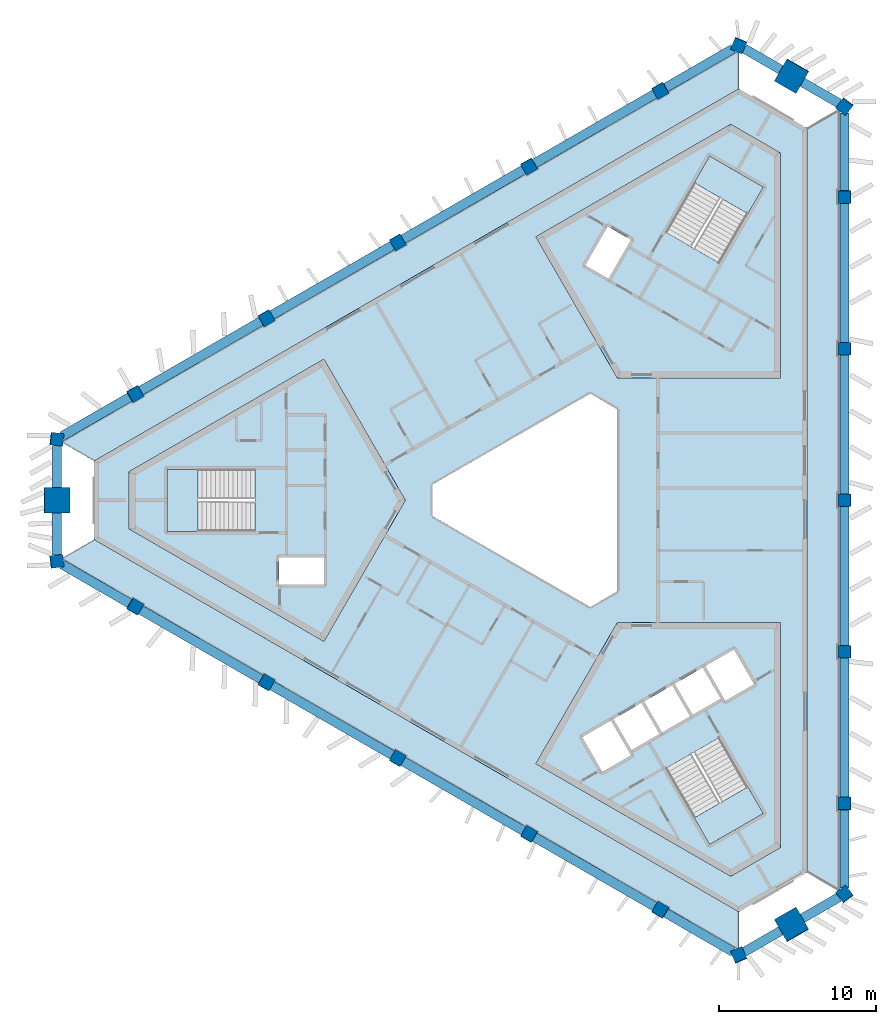
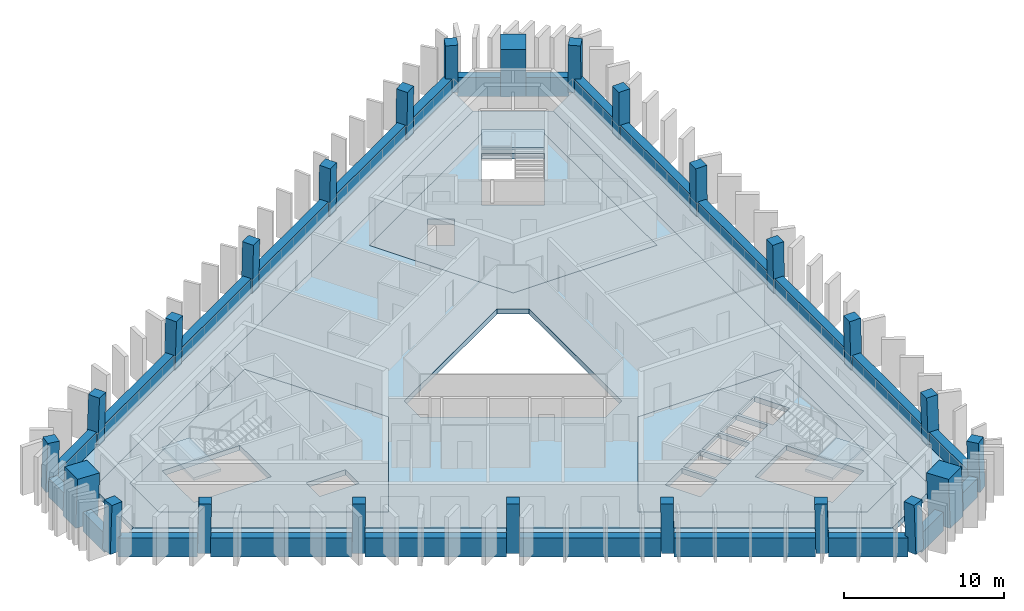
# One storey, part 1 of 9: 24 beams, 24 columns, 10 slabs, 3 elements without a shape of their own.
"""IFC4 building model written with IfcOpenShell, lengths in metres."""

import ifcopenshell
import ifcopenshell.guid

model = None  # the IFC model being written
_history = None  # IfcOwnerHistory: only IFC2X3 demands one
_inside = {}  # id of a spatial element -> (the spatial element, [elements in it])
_under = {}  # id of a project, library or spatial element -> (it, [spatial elements below it])
_declared = {}  # id of a project -> (the project, [libraries it declares])
_typed = {}  # id of a type object -> (the type object, [elements of that type])
_made_of = {}  # id of a material, layer set ... -> (it, [elements and type objects made of it])


def new_model(schema):
    """Start an empty IFC model of exactly this schema.

    Asked for "IFC4X3", IfcOpenShell would pick the latest addendum, in which some entities
    have other attributes; the version numbers below select the first issue.
    IFC2X3 requires an IfcOwnerHistory on every rooted entity: one is made here for all.
    """
    global model, _history
    if schema == "IFC4X3":
        model = ifcopenshell.file(schema_version=(4, 3, 0, 0))
    else:
        model = ifcopenshell.file(schema=schema)
    _inside.clear()
    _under.clear()
    _declared.clear()
    _typed.clear()
    _made_of.clear()
    _history = None
    if model.schema == "IFC2X3":
        org = make("IfcOrganization", Name="unknown")
        user = make(
            "IfcPersonAndOrganization",
            ThePerson=make("IfcPerson", FamilyName="unknown"),
            TheOrganization=org,
        )
        app = make(
            "IfcApplication",
            ApplicationDeveloper=org,
            Version="unknown",
            ApplicationFullName="unknown",
            ApplicationIdentifier="unknown",
        )
        _history = make(
            "IfcOwnerHistory",
            OwningUser=user,
            OwningApplication=app,
            ChangeAction="ADDED",
            CreationDate=0,
        )
    return model


def make(cls, **values):
    """One entity of the class cls with the attributes given. An attribute that is None is left unset."""
    return model.create_entity(
        cls, **{name: value for name, value in values.items() if value is not None}
    )


def rooted(cls, **values):
    """An entity with a GlobalId (a new one), such as an element, a storey or a relation."""
    return make(cls, GlobalId=ifcopenshell.guid.new(), OwnerHistory=_history, **values)


def si_unit(unit_type, name, prefix=None):
    """IfcSIUnit, for example si_unit("LENGTHUNIT", "METRE", prefix="MILLI")."""
    return make("IfcSIUnit", UnitType=unit_type, Prefix=prefix, Name=name)


def assignment(units):
    """IfcUnitAssignment: the units of a project."""
    return None if units is None else make("IfcUnitAssignment", Units=units)


def point(xyz):
    """IfcCartesianPoint."""
    return None if xyz is None else make("IfcCartesianPoint", Coordinates=xyz)


def direction(xyz):
    """IfcDirection."""
    return None if xyz is None else make("IfcDirection", DirectionRatios=xyz)


def frame(location, z_axis=None, x_axis=None):
    """IfcAxis2Placement3D, a coordinate frame: its origin and axes. An axis left out is left unset."""
    return make(
        "IfcAxis2Placement3D",
        Location=point(location),
        Axis=direction(z_axis),
        RefDirection=direction(x_axis),
    )


def frame_2d(location, x_axis=None):
    """IfcAxis2Placement2D, a coordinate frame in the plane: its origin and x axis."""
    return make(
        "IfcAxis2Placement2D", Location=point(location), RefDirection=direction(x_axis)
    )


def origin():
    """The frame at (0, 0, 0) with its axes left unset."""
    return frame((0.0, 0.0, 0.0))


def origin_2d():
    """The frame at (0, 0) in the plane with its x axis left unset."""
    return frame_2d((0.0, 0.0))


def place(relative_to, where):
    """IfcLocalPlacement: puts the frame where relative to a parent placement (None: the world)."""
    return make(
        "IfcLocalPlacement", PlacementRelTo=relative_to, RelativePlacement=where
    )


def context(
    kind, dimensions, precision=None, world=None, true_north=None, identifier=None
):
    """IfcGeometricRepresentationContext, for example the 3D "Model" context."""
    return make(
        "IfcGeometricRepresentationContext",
        ContextIdentifier=identifier,
        ContextType=kind,
        CoordinateSpaceDimension=dimensions,
        Precision=precision,
        WorldCoordinateSystem=world,
        TrueNorth=true_north,
    )


def subcontext(parent, identifier, kind, view, scale=None):
    """IfcGeometricRepresentationSubContext, for example "Body" below "Model"."""
    return make(
        "IfcGeometricRepresentationSubContext",
        ContextIdentifier=identifier,
        ContextType=kind,
        ParentContext=parent,
        TargetScale=scale,
        TargetView=view,
    )


def project(units=None, contexts=None):
    """IfcProject with its units and contexts."""
    return rooted(
        "IfcProject",
        Name="project",
        RepresentationContexts=contexts,
        UnitsInContext=assignment(units),
    )


def spatial(cls, under=None, at=None, **own):
    """A site, building, storey or space (cls), placed at a placement, below another one or the project."""
    s = rooted(cls, ObjectPlacement=at, **own)
    if under is not None:
        _under.setdefault(under.id(), (under, []))[1].append(s)
    return s


def polyline(points):
    """IfcPolyline through the points."""
    return make("IfcPolyline", Points=[point(p) for p in points])


def profile(cls, at=None, kind="AREA", **sizes):
    """A parametric profile (cls). Its sizes go by their IFC names, for example OverallWidth=200.0."""
    return make(cls, ProfileType=kind, Position=at, **sizes)


def rectangle(**sizes):
    """IfcRectangleProfileDef."""
    return profile("IfcRectangleProfileDef", **sizes)


def outline(outer, holes=None, kind="AREA"):
    """IfcArbitraryClosedProfileDef: a profile drawn as a closed curve; with holes, ...WithVoids."""
    if holes is None:
        return make("IfcArbitraryClosedProfileDef", ProfileType=kind, OuterCurve=outer)
    return make(
        "IfcArbitraryProfileDefWithVoids",
        ProfileType=kind,
        OuterCurve=outer,
        InnerCurves=holes,
    )


def extrude(swept, where, along, depth):
    """IfcExtrudedAreaSolid: the profile swept, set in the frame where, extruded along a direction by depth."""
    return make(
        "IfcExtrudedAreaSolid",
        SweptArea=swept,
        Position=where,
        ExtrudedDirection=direction(along),
        Depth=depth,
    )


def shape(context_of_items, identifier, shape_type, items):
    """IfcShapeRepresentation: the items that make up one representation, for example the "Body"."""
    return make(
        "IfcShapeRepresentation",
        ContextOfItems=context_of_items,
        RepresentationIdentifier=identifier,
        RepresentationType=shape_type,
        Items=items,
    )


def material(Name=None, Category=None):
    """IfcMaterial."""
    return make("IfcMaterial", Name=Name, Category=Category)


def layer(
    of_material, thickness, ventilated=None, Name=None, Category=None, Priority=None
):
    """IfcMaterialLayer: one layer of a wall or slab, of a material (None: an air gap)."""
    return make(
        "IfcMaterialLayer",
        Material=of_material,
        LayerThickness=thickness,
        IsVentilated=ventilated,
        Name=Name,
        Category=Category,
        Priority=Priority,
    )


def layer_set(layers, Name=None):
    """IfcMaterialLayerSet."""
    return make("IfcMaterialLayerSet", MaterialLayers=layers, LayerSetName=Name)


def material_profile(
    of_material, cross_section, Name=None, Category=None, Priority=None
):
    """IfcMaterialProfile: a cross section and its material."""
    return make(
        "IfcMaterialProfile",
        Name=Name,
        Material=of_material,
        Profile=cross_section,
        Priority=Priority,
        Category=Category,
    )


def profile_set(profiles, Name=None, composite=None):
    """IfcMaterialProfileSet."""
    return make(
        "IfcMaterialProfileSet",
        Name=Name,
        MaterialProfiles=profiles,
        CompositeProfile=composite,
    )


def made_of(thing, what):
    """Note that an element or type object is made of a material, layer set ...; save() writes the relation."""
    if what is not None:
        _made_of.setdefault(what.id(), (what, []))[1].append(thing)
    return thing


def type_object(cls, material=None, **own):
    """A type object (cls), such as IfcWallType, which elements share."""
    return made_of(rooted(cls, **own), material)


def element(
    cls,
    number,
    at=None,
    inside=None,
    cuts=None,
    type_object=None,
    material=None,
    context=None,
    identifier="Body",
    shape_type=None,
    held_by="IfcProductDefinitionShape",
    body=None,
    shapes=None,
    **own,
):
    """One element of the class cls, such as IfcWall. Its Tag is "e" and its number.

    at: its placement. inside: the storey or other place that contains it. cuts: it is an
    opening in that element (IfcRelVoidsElement). A single representation is given by context,
    identifier, shape_type and body (its items); several are given by shapes. held_by: the class
    of the entity that holds the representations. save() writes the other relations.
    """
    e = rooted(cls, Tag="e%d" % number, ObjectPlacement=at, **own)
    if body is not None:
        shapes = [shape(context, identifier, shape_type, body)]
    if shapes is not None:
        e.Representation = make(held_by, Representations=shapes)
    if inside is not None:
        _inside.setdefault(inside.id(), (inside, []))[1].append(e)
    if cuts is not None:
        rooted(
            "IfcRelVoidsElement", RelatingBuildingElement=cuts, RelatedOpeningElement=e
        )
    if type_object is not None:
        _typed.setdefault(type_object.id(), (type_object, []))[1].append(e)
    return made_of(e, material)


def aggregate(whole, parts):
    """IfcRelAggregates: a whole, such as a stair, and the parts it consists of."""
    return rooted("IfcRelAggregates", RelatingObject=whole, RelatedObjects=parts)


def save(model, path):
    """Write the relations noted so far, then the file.

    IfcRelAggregates (storeys below a building ...), IfcRelContainedInSpatialStructure (elements
    in a storey), IfcRelDefinesByType, IfcRelAssociatesMaterial and IfcRelDeclares: one each for
    every whole, place, type object, material and project.
    """
    for whole, parts in _under.values():
        aggregate(whole, parts)
    for where, things in _inside.values():
        rooted(
            "IfcRelContainedInSpatialStructure",
            RelatedElements=things,
            RelatingStructure=where,
        )
    for kind, things in _typed.values():
        rooted("IfcRelDefinesByType", RelatedObjects=things, RelatingType=kind)
    for what, things in _made_of.values():
        rooted("IfcRelAssociatesMaterial", RelatedObjects=things, RelatingMaterial=what)
    for by, libraries in _declared.values():
        rooted("IfcRelDeclares", RelatingContext=by, RelatedDefinitions=libraries)
    model.write(path)


model = new_model("IFC4")

# Units and contexts
model_context = context("Model", 3, precision=1e-05, world=origin(), true_north=direction((0.0, 1.0)))
body_context = subcontext(model_context, "Body", "Model", "MODEL_VIEW")
ifc_project = project(units=[si_unit("LENGTHUNIT", "METRE"), si_unit("AREAUNIT", "SQUARE_METRE"), si_unit("VOLUMEUNIT", "CUBIC_METRE"), si_unit("PLANEANGLEUNIT", "RADIAN"), si_unit("MASSUNIT", "GRAM", prefix="KILO")], contexts=[model_context])

# Site, building, storey
site_placement = place(None, origin())
site = spatial("IfcSite", under=ifc_project, at=site_placement, CompositionType="ELEMENT")
building_placement = place(site_placement, origin())
building = spatial("IfcBuilding", under=site, at=building_placement, Name="Jabali Bay Hotel Tower and Convention Centre", CompositionType="ELEMENT")
storey_placement = place(building_placement, frame((0.0, 0.0, 281.199951171875)))
storey = spatial("IfcBuildingStorey", under=building, at=storey_placement, Name="L69", CompositionType="ELEMENT", Elevation=281.199951171875)

# Columns
ifc_material_1 = material(Name="Concrete C60", Category="concrete")
ifc_material_profile_1 = material_profile(ifc_material_1, rectangle(XDim=0.800048828125, YDim=0.800048828125, at=origin_2d()), Name="Frame column 800")
ifc_profile_set_1 = profile_set([ifc_material_profile_1], Name="Concrete C60")
column_type_1 = type_object("IfcColumnType", Name="Frame column 800", PredefinedType="COLUMN", material=ifc_profile_set_1)
column_1_placement = place(storey_placement, frame((82.244140625, 106.096923828125, 0.0), z_axis=(-0.00837646992, -0.028097450282, 0.999570091609), x_axis=(0.86617163682, 0.499292783589, 0.021293469065)))
element("IfcColumn", 1, at=column_1_placement, inside=storey, type_object=column_type_1, Name="FC6 F1.1 L69", PredefinedType="COLUMN", context=body_context, shape_type="SweptSolid", body=[
    extrude(rectangle(XDim=0.800048828125, YDim=0.800048828125, at=origin_2d()), origin(), (0.0, 0.0, 1.0), 3.70166015625),
])
column_2_placement = place(storey_placement, frame((73.87744140625, 101.266357421875, 0.0), z_axis=(0.000857580205, -0.022758859284, 0.9997406158), x_axis=(0.866006049772, 0.499920354613, 0.010637706611)))
element("IfcColumn", 2, at=column_2_placement, inside=storey, type_object=column_type_1, Name="FC6 F1.2 L69", PredefinedType="COLUMN", context=body_context, shape_type="SweptSolid", body=[
    extrude(rectangle(XDim=0.800048828125, YDim=0.800048828125, at=origin_2d()), origin(), (0.0, 0.0, 1.0), 3.700927734375),
])
column_3_placement = place(storey_placement, frame((65.5107421875, 96.435791015625, 0.0), z_axis=(0.010093620709, -0.017482414954, 0.999796221231), x_axis=(-0.499897086036, 0.865849517735, 0.020187025824)))
element("IfcColumn", 3, at=column_3_placement, inside=storey, type_object=column_type_1, Name="FC6 F1.3 L69", PredefinedType="COLUMN", context=body_context, shape_type="SweptSolid", body=[
    extrude(rectangle(XDim=0.800048828125, YDim=0.800048828125, at=origin_2d()), origin(), (0.0, 0.0, 1.0), 3.70068359375),
])
column_4_placement = place(storey_placement, frame((57.14404296875, 91.60546875, 0.0), z_axis=(0.019328501455, -0.012204002625, 0.999738701537), x_axis=(-0.498082427135, 0.866894093285, 0.020212046084)))
element("IfcColumn", 4, at=column_4_placement, inside=storey, type_object=column_type_1, Name="FC6 F1.4 L69", PredefinedType="COLUMN", context=body_context, shape_type="SweptSolid", body=[
    extrude(rectangle(XDim=0.800048828125, YDim=0.800048828125, at=origin_2d()), origin(), (0.0, 0.0, 1.0), 3.700927734375),
])
for number, where, z_axis, x_axis, name in (
    (5, (48.77734375, 86.77490234375, 0.0), (0.028559101991, -0.006859460986, 0.999568569678), (-0.49850561578, 0.866651314562, 0.020190344332), "FC6 F1.5 L69"),
    (6, (48.77734375, 73.22509765625, 0.0), (0.028559101991, 0.006859460986, 0.999568569678), (-0.866415909785, 0.498867163445, 0.02133130346), "FC6 F2.1 L69"),
):
    element("IfcColumn", number, at=place(storey_placement, frame(where, z_axis=z_axis, x_axis=x_axis)), inside=storey, type_object=column_type_1, Name=name, PredefinedType="COLUMN", context=body_context, shape_type="SweptSolid", body=[
        extrude(rectangle(XDim=0.800048828125, YDim=0.800048828125, at=origin_2d()), origin(), (0.0, 0.0, 1.0), 3.70166015625),
    ])
column_5_placement = place(storey_placement, frame((57.14404296875, 68.39453125, 0.0), z_axis=(0.019328501455, 0.012204002625, 0.999738701537), x_axis=(-0.866914243054, 0.498342947525, 0.010677164495)))
element("IfcColumn", 7, at=column_5_placement, inside=storey, type_object=column_type_1, Name="FC6 F2.2 L69", PredefinedType="COLUMN", context=body_context, shape_type="SweptSolid", body=[
    extrude(rectangle(XDim=0.800048828125, YDim=0.800048828125, at=origin_2d()), origin(), (0.0, 0.0, 1.0), 3.700927734375),
])
column_6_placement = place(storey_placement, frame((65.5107421875, 63.564208984375, 0.0), z_axis=(0.010093620709, 0.017482414954, 0.999796221231), x_axis=(-0.866025993948, 0.499998977805, 1.48331e-07)))
element("IfcColumn", 8, at=column_6_placement, inside=storey, type_object=column_type_1, Name="FC6 F2.3 L69", PredefinedType="COLUMN", context=body_context, shape_type="SweptSolid", body=[
    extrude(rectangle(XDim=0.800048828125, YDim=0.800048828125, at=origin_2d()), origin(), (0.0, 0.0, 1.0), 3.70068359375),
])
column_7_placement = place(storey_placement, frame((73.87744140625, 58.733642578125, 0.0), z_axis=(0.000857580205, 0.022758859284, 0.9997406158), x_axis=(-0.500032785239, -0.865772298799, 0.020138031626)))
element("IfcColumn", 9, at=column_7_placement, inside=storey, type_object=column_type_1, Name="FC6 F2.4 L69", PredefinedType="COLUMN", context=body_context, shape_type="SweptSolid", body=[
    extrude(rectangle(XDim=0.800048828125, YDim=0.800048828125, at=origin_2d()), origin(), (0.0, 0.0, 1.0), 3.700927734375),
])
for number, where, z_axis, x_axis, name in (
    (10, (82.244140625, 53.903076171875, 0.0), (-0.00837646992, 0.028097450282, 0.999570091609), (-0.49967642562, -0.865977626468, 0.020154903518), "FC6 F2.5 L69"),
    (11, (93.978515625, 60.677734375, 0.0), (-0.020182631348, 0.021369844956, 0.999567902205), (-0.001315292007, -0.999771248084, 0.021347634776), "FC6 F0.1 L69"),
):
    element("IfcColumn", number, at=place(storey_placement, frame(where, z_axis=z_axis, x_axis=x_axis)), inside=storey, type_object=column_type_1, Name=name, PredefinedType="COLUMN", context=body_context, shape_type="SweptSolid", body=[
        extrude(rectangle(XDim=0.800048828125, YDim=0.800048828125, at=origin_2d()), origin(), (0.0, 0.0, 1.0), 3.70166015625),
    ])
column_8_placement = place(storey_placement, frame((93.978515625, 70.3388671875, 0.0), z_axis=(-0.020186088539, 0.010686752756, 0.999739123544), x_axis=(-0.001023376713, -0.999942568771, 0.010668264128)))
element("IfcColumn", 12, at=column_8_placement, inside=storey, type_object=column_type_1, Name="FC6 F0.2 L69", PredefinedType="COLUMN", context=body_context, shape_type="SweptSolid", body=[
    extrude(rectangle(XDim=0.800048828125, YDim=0.800048828125, at=origin_2d()), origin(), (0.0, 0.0, 1.0), 3.700927734375),
])
column_9_placement = place(storey_placement, frame((93.978515625, 80.0, 0.0), z_axis=(-0.020187241331, 0.0, 0.99979621688), x_axis=(0.0, -1.0, 0.0)))
element("IfcColumn", 13, at=column_9_placement, inside=storey, type_object=column_type_1, Name="FC6 F0.3 L69", PredefinedType="COLUMN", context=body_context, shape_type="SweptSolid", body=[
    extrude(rectangle(XDim=0.800048828125, YDim=0.800048828125, at=origin_2d()), origin(), (0.0, 0.0, 1.0), 3.70068359375),
])
column_10_placement = place(storey_placement, frame((93.978515625, 89.6611328125, 0.0), z_axis=(-0.020186088539, -0.010686752756, 0.999739123544), x_axis=(0.999795716399, 0.000807759214, 0.020195865801)))
element("IfcColumn", 14, at=column_10_placement, inside=storey, type_object=column_type_1, Name="FC6 F0.4 L69", PredefinedType="COLUMN", context=body_context, shape_type="SweptSolid", body=[
    extrude(rectangle(XDim=0.800048828125, YDim=0.800048828125, at=origin_2d()), origin(), (0.0, 0.0, 1.0), 3.700927734375),
])
column_11_placement = place(storey_placement, frame((93.978515625, 99.322265625, 0.0), z_axis=(-0.020182631348, -0.021369844956, 0.999567902205), x_axis=(0.999795444778, 0.000883872229, 0.020206122118)))
element("IfcColumn", 15, at=column_11_placement, inside=storey, type_object=column_type_1, Name="FC6 F0.5 L69", PredefinedType="COLUMN", context=body_context, shape_type="SweptSolid", body=[
    extrude(rectangle(XDim=0.800048828125, YDim=0.800048828125, at=origin_2d()), origin(), (0.0, 0.0, 1.0), 3.70166015625),
])
for number, where, z_axis, x_axis, name in (
    (16, (93.978515625, 54.9052734375, 0.0), (-0.020178741915, 0.029015184452, 0.999375273581), (-0.797697770106, -0.603055803093, 0.001402113871), "FC6 V0 L69"),
    (17, (93.978515625, 105.0947265625, 0.0), (-0.020178741915, -0.029015184452, 0.999375273581), (0.602719740793, 0.797171134341, 0.035314255348), "FC6 V1 L69"),
    (18, (87.243408203125, 108.983154296875, 0.0), (-0.015035141917, -0.031982648376, 0.99937533225), (0.921141307398, -0.389225803998, 0.001401893972), "FC6 V2 L69"),
    (19, (43.778076171875, 83.888427734375, 0.0), (0.03521388716, -0.002967462401, 0.999375393092), (-0.991730566911, 0.123384052133, 0.035310881232), "FC6 V3 L69"),
    (20, (43.778076171875, 76.111572265625, 0.0), (0.03521388716, 0.002967462401, 0.999375393092), (-0.123411769314, 0.992354558535, 0.00140190892), "FC6 V4 L69"),
    (21, (87.243408203125, 51.016845703125, 0.0), (-0.015035141917, 0.031982648376, 0.99937533225), (0.388937830909, -0.920586977805, 0.03531260374), "FC6 V5 L69"),
):
    element("IfcColumn", number, at=place(storey_placement, frame(where, z_axis=z_axis, x_axis=x_axis)), inside=storey, type_object=column_type_1, Name=name, PredefinedType="COLUMN", context=body_context, shape_type="SweptSolid", body=[
        extrude(rectangle(XDim=0.800048828125, YDim=0.800048828125, at=origin_2d()), origin(), (0.0, 0.0, 1.0), 3.7021484375),
    ])
ifc_material_2 = material(Name="Concrete C70", Category="concrete")
ifc_material_profile_2 = material_profile(ifc_material_2, rectangle(XDim=1.60009765625, YDim=1.60009765625, at=origin_2d()), Name="Mega column 1600")
ifc_profile_set_2 = profile_set([ifc_material_profile_2], Name="Concrete C70")
column_type_2 = type_object("IfcColumnType", Name="Mega column 1600", PredefinedType="COLUMN", material=ifc_profile_set_2)
for number, where, z_axis, x_axis, name in (
    (22, (90.61083984375, 107.0390625, 0.0), (-0.017541078386, -0.030532027415, 0.999379860649), (0.867089765109, -0.498151923858, 1.01404e-07), "MC6 M1 L69"),
    (23, (43.778076171875, 80.0, 0.0), (0.035214042205, 0.0, 0.999379793288), (0.0, 1.0, 0.0), "MC6 M0 L69"),
    (24, (90.61083984375, 52.9609375, 0.0), (-0.017541078386, 0.030532027415, 0.999379860649), (0.497842997152, -0.866552050403, 0.035212130424), "MC6 M2 L69"),
):
    element("IfcColumn", number, at=place(storey_placement, frame(where, z_axis=z_axis, x_axis=x_axis)), inside=storey, type_object=column_type_2, Name=name, PredefinedType="COLUMN", context=body_context, shape_type="SweptSolid", body=[
        extrude(rectangle(XDim=1.60009765625, YDim=1.60009765625, at=origin_2d()), origin(), (0.0, 0.0, 1.0), 3.7021484375),
    ])

# Beams
ifc_material_profile_3 = material_profile(ifc_material_1, rectangle(XDim=0.60009765625, YDim=1.449951171875, at=origin_2d()), Name="Spandrel 600x1450")
ifc_profile_set_3 = profile_set([ifc_material_profile_3], Name="Concrete C60")
beam_type = type_object("IfcBeamType", Name="Spandrel 600x1450", PredefinedType="SPANDREL", material=ifc_profile_set_3)
beam_1_placement = place(storey_placement, frame((89.91162109375, 107.427490234375, 0.375), z_axis=(-0.866020687897, 0.500008168067, 0.0), x_axis=(-0.500008168067, -0.866020687897, 0.0)))
element("IfcBeam", 25, at=beam_1_placement, inside=storey, type_object=beam_type, Name="Spandrel M1-V2 L69", PredefinedType="SPANDREL", context=body_context, shape_type="SweptSolid", body=[
    extrude(rectangle(XDim=0.60009765625, YDim=1.449951171875, at=origin_2d()), origin(), (0.0, 0.0, 1.0), 2.6875),
])
beam_2_placement = place(storey_placement, frame((86.891357421875, 108.771240234375, 0.375), z_axis=(-0.86602769891, -0.499996024704, 0.0), x_axis=(0.499996024704, -0.86602769891, 0.0)))
element("IfcBeam", 26, at=beam_2_placement, inside=storey, type_object=beam_type, Name="Spandrel V2-F1.1 L69", PredefinedType="SPANDREL", context=body_context, shape_type="SweptSolid", body=[
    extrude(rectangle(XDim=0.60009765625, YDim=1.449951171875, at=origin_2d()), origin(), (0.0, 0.0, 1.0), 4.9697265625),
])
beam_3_placement = place(storey_placement, frame((81.894775390625, 105.886474609375, 0.375), z_axis=(-0.86602263604, -0.500004793843, 0.0), x_axis=(0.500004793843, -0.86602263604, 0.0)))
element("IfcBeam", 27, at=beam_3_placement, inside=storey, type_object=beam_type, Name="Spandrel F1.1-F1.2 L69", PredefinedType="SPANDREL", context=body_context, shape_type="SweptSolid", body=[
    extrude(rectangle(XDim=0.60009765625, YDim=1.449951171875, at=origin_2d()), origin(), (0.0, 0.0, 1.0), 8.857421875),
])
for number, where, z_axis, x_axis, name in (
    (28, (73.531494140625, 101.057861328125, 0.375), (-0.866034571449, -0.499984120803, 0.0), (0.499984120803, -0.866034571449, 0.0), "Spandrel F1.2-F1.3 L69"),
    (29, (65.168212890625, 96.229248046875, 0.375), (-0.866034571449, -0.499984120803, 0.0), (0.499984120803, -0.866034571449, 0.0), "Spandrel F1.3-F1.4 L69"),
):
    element("IfcBeam", number, at=place(storey_placement, frame(where, z_axis=z_axis, x_axis=x_axis)), inside=storey, type_object=beam_type, Name=name, PredefinedType="SPANDREL", context=body_context, shape_type="SweptSolid", body=[
        extrude(rectangle(XDim=0.60009765625, YDim=1.449951171875, at=origin_2d()), origin(), (0.0, 0.0, 1.0), 8.857177734375),
    ])
beam_4_placement = place(storey_placement, frame((56.804931640625, 91.40087890625, 0.375), z_axis=(-0.86602263604, -0.500004793843, 0.0), x_axis=(0.500004793843, -0.86602263604, 0.0)))
element("IfcBeam", 30, at=beam_4_placement, inside=storey, type_object=beam_type, Name="Spandrel F1.4-F1.5 L69", PredefinedType="SPANDREL", context=body_context, shape_type="SweptSolid", body=[
    extrude(rectangle(XDim=0.60009765625, YDim=1.449951171875, at=origin_2d()), origin(), (0.0, 0.0, 1.0), 8.857421875),
])
beam_5_placement = place(storey_placement, frame((48.441650390625, 86.572265625, 0.375), z_axis=(-0.86602769891, -0.499996024704, 0.0), x_axis=(0.499996024704, -0.86602769891, 0.0)))
element("IfcBeam", 31, at=beam_5_placement, inside=storey, type_object=beam_type, Name="Spandrel F1.5-V3 L69", PredefinedType="SPANDREL", context=body_context, shape_type="SweptSolid", body=[
    extrude(rectangle(XDim=0.60009765625, YDim=1.449951171875, at=origin_2d()), origin(), (0.0, 0.0, 1.0), 4.9697265625),
])
for number, where, z_axis, x_axis, name in (
    (32, (43.791259765625, 83.487548828125, 0.375), (0.0, -1.0, 0.0), (1.0, 0.0, 0.0), "Spandrel V3-M0 L69"),
    (33, (43.791259765625, 79.199951171875, 0.375), (0.0, -1.0, 0.0), (1.0, 0.0, 0.0), "Spandrel M0-V4 L69"),
):
    element("IfcBeam", number, at=place(storey_placement, frame(where, z_axis=z_axis, x_axis=x_axis)), inside=storey, type_object=beam_type, Name=name, PredefinedType="SPANDREL", context=body_context, shape_type="SweptSolid", body=[
        extrude(rectangle(XDim=0.60009765625, YDim=1.449951171875, at=origin_2d()), origin(), (0.0, 0.0, 1.0), 2.6875),
    ])
beam_6_placement = place(storey_placement, frame((44.1376953125, 75.91259765625, 0.375), z_axis=(0.86602769891, -0.499996024704, 0.0), x_axis=(0.499996024704, 0.86602769891, 0.0)))
element("IfcBeam", 34, at=beam_6_placement, inside=storey, type_object=beam_type, Name="Spandrel V4-F2.1 L69", PredefinedType="SPANDREL", context=body_context, shape_type="SweptSolid", body=[
    extrude(rectangle(XDim=0.60009765625, YDim=1.449951171875, at=origin_2d()), origin(), (0.0, 0.0, 1.0), 4.9697265625),
])
beam_7_placement = place(storey_placement, frame((49.13427734375, 73.02783203125, 0.375), z_axis=(0.86602263604, -0.500004793843, 0.0), x_axis=(0.500004793843, 0.86602263604, 0.0)))
element("IfcBeam", 35, at=beam_7_placement, inside=storey, type_object=beam_type, Name="Spandrel F2.1-F2.2 L69", PredefinedType="SPANDREL", context=body_context, shape_type="SweptSolid", body=[
    extrude(rectangle(XDim=0.60009765625, YDim=1.449951171875, at=origin_2d()), origin(), (0.0, 0.0, 1.0), 8.857421875),
])
for number, where, z_axis, x_axis, name in (
    (36, (57.49755859375, 68.19921875, 0.375), (0.866034571449, -0.499984120803, 0.0), (0.499984120803, 0.866034571449, 0.0), "Spandrel F2.2-F2.3 L69"),
    (37, (65.86083984375, 63.37060546875, 0.375), (0.866034571449, -0.499984120803, 0.0), (0.499984120803, 0.866034571449, 0.0), "Spandrel F2.3-F2.4 L69"),
):
    element("IfcBeam", number, at=place(storey_placement, frame(where, z_axis=z_axis, x_axis=x_axis)), inside=storey, type_object=beam_type, Name=name, PredefinedType="SPANDREL", context=body_context, shape_type="SweptSolid", body=[
        extrude(rectangle(XDim=0.60009765625, YDim=1.449951171875, at=origin_2d()), origin(), (0.0, 0.0, 1.0), 8.857177734375),
    ])
beam_8_placement = place(storey_placement, frame((74.22412109375, 58.542236328125, 0.375), z_axis=(0.86602263604, -0.500004793843, 0.0), x_axis=(0.500004793843, 0.86602263604, 0.0)))
element("IfcBeam", 38, at=beam_8_placement, inside=storey, type_object=beam_type, Name="Spandrel F2.4-F2.5 L69", PredefinedType="SPANDREL", context=body_context, shape_type="SweptSolid", body=[
    extrude(rectangle(XDim=0.60009765625, YDim=1.449951171875, at=origin_2d()), origin(), (0.0, 0.0, 1.0), 8.857421875),
])
beam_9_placement = place(storey_placement, frame((82.58740234375, 53.713623046875, 0.375), z_axis=(0.86602769891, -0.499996024704, 0.0), x_axis=(0.499996024704, 0.86602769891, 0.0)))
element("IfcBeam", 39, at=beam_9_placement, inside=storey, type_object=beam_type, Name="Spandrel F2.5-V5 L69", PredefinedType="SPANDREL", context=body_context, shape_type="SweptSolid", body=[
    extrude(rectangle(XDim=0.60009765625, YDim=1.449951171875, at=origin_2d()), origin(), (0.0, 0.0, 1.0), 4.9697265625),
])
beam_10_placement = place(storey_placement, frame((87.584228515625, 51.228759765625, 0.375), z_axis=(0.866020687897, 0.500008168067, 0.0), x_axis=(-0.500008168067, 0.866020687897, 0.0)))
element("IfcBeam", 40, at=beam_10_placement, inside=storey, type_object=beam_type, Name="Spandrel V5-M2 L69", PredefinedType="SPANDREL", context=body_context, shape_type="SweptSolid", body=[
    extrude(rectangle(XDim=0.60009765625, YDim=1.449951171875, at=origin_2d()), origin(), (0.0, 0.0, 1.0), 2.6875),
])
beam_11_placement = place(storey_placement, frame((91.297119140625, 53.37255859375, 0.375), z_axis=(0.866060024258, 0.499940030787, 0.0), x_axis=(-0.499940030787, 0.866060024258, 0.0)))
element("IfcBeam", 41, at=beam_11_placement, inside=storey, type_object=beam_type, Name="Spandrel M2-V0 L69", PredefinedType="SPANDREL", context=body_context, shape_type="SweptSolid", body=[
    extrude(rectangle(XDim=0.60009765625, YDim=1.449951171875, at=origin_2d()), origin(), (0.0, 0.0, 1.0), 2.687255859375),
])
beam_12_placement = place(storey_placement, frame((93.970947265625, 55.316162109375, 0.375), z_axis=(0.0, 1.0, 0.0), x_axis=(-1.0, 0.0, 0.0)))
element("IfcBeam", 42, at=beam_12_placement, inside=storey, type_object=beam_type, Name="Spandrel V0-F0.1 L69", PredefinedType="SPANDREL", context=body_context, shape_type="SweptSolid", body=[
    extrude(rectangle(XDim=0.60009765625, YDim=1.449951171875, at=origin_2d()), origin(), (0.0, 0.0, 1.0), 4.9697265625),
])
beam_13_placement = place(storey_placement, frame((93.970947265625, 61.0859375, 0.375), z_axis=(0.0, 1.0, 0.0), x_axis=(-1.0, 0.0, 0.0)))
element("IfcBeam", 43, at=beam_13_placement, inside=storey, type_object=beam_type, Name="Spandrel F0.1-F0.2 L69", PredefinedType="SPANDREL", context=body_context, shape_type="SweptSolid", body=[
    extrude(rectangle(XDim=0.60009765625, YDim=1.449951171875, at=origin_2d()), origin(), (0.0, 0.0, 1.0), 8.85693359375),
])
for number, where, z_axis, x_axis, name in (
    (44, (93.970947265625, 70.742919921875, 0.375), (0.0, 1.0, 0.0), (-1.0, 0.0, 0.0), "Spandrel F0.2-F0.3 L69"),
    (45, (93.970947265625, 80.39990234375, 0.375), (0.0, 1.0, 0.0), (-1.0, 0.0, 0.0), "Spandrel F0.3-F0.4 L69"),
):
    element("IfcBeam", number, at=place(storey_placement, frame(where, z_axis=z_axis, x_axis=x_axis)), inside=storey, type_object=beam_type, Name=name, PredefinedType="SPANDREL", context=body_context, shape_type="SweptSolid", body=[
        extrude(rectangle(XDim=0.60009765625, YDim=1.449951171875, at=origin_2d()), origin(), (0.0, 0.0, 1.0), 8.857177734375),
    ])
beam_14_placement = place(storey_placement, frame((93.970947265625, 90.05712890625, 0.375), z_axis=(0.0, 1.0, 0.0), x_axis=(-1.0, 0.0, 0.0)))
element("IfcBeam", 46, at=beam_14_placement, inside=storey, type_object=beam_type, Name="Spandrel F0.4-F0.5 L69", PredefinedType="SPANDREL", context=body_context, shape_type="SweptSolid", body=[
    extrude(rectangle(XDim=0.60009765625, YDim=1.449951171875, at=origin_2d()), origin(), (0.0, 0.0, 1.0), 8.85693359375),
])
beam_15_placement = place(storey_placement, frame((93.970947265625, 99.714111328125, 0.375), z_axis=(0.0, 1.0, 0.0), x_axis=(-1.0, 0.0, 0.0)))
element("IfcBeam", 47, at=beam_15_placement, inside=storey, type_object=beam_type, Name="Spandrel F0.5-V1 L69", PredefinedType="SPANDREL", context=body_context, shape_type="SweptSolid", body=[
    extrude(rectangle(XDim=0.60009765625, YDim=1.449951171875, at=origin_2d()), origin(), (0.0, 0.0, 1.0), 4.9697265625),
])
beam_16_placement = place(storey_placement, frame((93.62451171875, 105.283935546875, 0.375), z_axis=(-0.866060024258, 0.499940030787, 0.0), x_axis=(-0.499940030787, -0.866060024258, 0.0)))
element("IfcBeam", 48, at=beam_16_placement, inside=storey, type_object=beam_type, Name="Spandrel V1-M1 L69", PredefinedType="SPANDREL", context=body_context, shape_type="SweptSolid", body=[
    extrude(rectangle(XDim=0.60009765625, YDim=1.449951171875, at=origin_2d()), origin(), (0.0, 0.0, 1.0), 2.687255859375),
])

# Slabs
ifc_material_3 = material(Name="Concrete C40", Category="concrete")
ifc_layer_1 = layer(ifc_material_3, 0.39990234375)
ifc_layer_set_1 = layer_set([ifc_layer_1], Name="Concrete C40")
slab_type_1 = type_object("IfcSlabType", Name="Core floor slab 400", PredefinedType="FLOOR", material=ifc_layer_set_1)
slab_1_placement = place(storey_placement, frame((0.0, 0.0, -0.39990234375)))
element("IfcSlab", 49, at=slab_1_placement, inside=storey, type_object=slab_type_1, Name="Core floor slab 1 L69", PredefinedType="FLOOR", context=body_context, shape_type="SweptSolid", body=[
    extrude(outline(polyline([(66.0, 80.0), (60.81005859375, 88.9892578125), (48.39697265625, 81.82275390625), (48.39697265625, 78.17724609375), (60.81005859375, 71.0107421875), (66.0, 80.0)]), holes=[polyline([(60.800048828125, 76.35009765625), (57.949951171875, 76.35009765625), (57.949951171875, 74.64990234375), (60.800048828125, 74.64990234375), (60.800048828125, 76.35009765625)]), polyline([(50.820068359375, 81.97509765625), (50.820068359375, 78.02490234375), (56.409912109375, 78.02490234375), (56.409912109375, 81.97509765625), (50.820068359375, 81.97509765625)])]), origin(), (0.0, 0.0, 1.0), 0.39990234375),
])
slab_2_placement = place(storey_placement, frame((0.0, 0.0, -0.39990234375)))
element("IfcSlab", 50, at=slab_2_placement, inside=storey, type_object=slab_type_1, Name="Core floor slab 2 L69", PredefinedType="FLOOR", context=body_context, shape_type="SweptSolid", body=[
    extrude(outline(polyline([(79.5, 87.794189453125), (89.8798828125, 87.794189453125), (89.8798828125, 102.127685546875), (86.72314453125, 103.9501953125), (74.31005859375, 96.78369140625), (79.5, 87.794189453125)]), holes=[polyline([(78.93896484375, 94.12255859375), (80.364013671875, 96.5908203125), (78.891845703125, 97.440673828125), (77.466796875, 94.97265625), (78.93896484375, 94.12255859375)]), polyline([(88.80029296875, 99.952880859375), (85.379638671875, 101.927978515625), (82.584716796875, 97.0869140625), (86.00537109375, 95.11181640625), (88.80029296875, 99.952880859375)])]), origin(), (0.0, 0.0, 1.0), 0.39990234375),
])
slab_3_placement = place(storey_placement, frame((0.0, 0.0, -0.39990234375)))
element("IfcSlab", 51, at=slab_3_placement, inside=storey, type_object=slab_type_1, Name="Core floor slab 3 L69", PredefinedType="FLOOR", context=body_context, shape_type="SweptSolid", body=[
    extrude(outline(polyline([(79.5, 72.205810546875), (74.31005859375, 63.21630859375), (86.72314453125, 56.0498046875), (89.8798828125, 57.872314453125), (89.8798828125, 72.205810546875), (79.5, 72.205810546875)]), holes=[polyline([(82.584716796875, 62.9130859375), (85.379638671875, 58.072021484375), (88.80029296875, 60.047119140625), (86.00537109375, 64.88818359375), (82.584716796875, 62.9130859375)]), polyline([(80.365478515625, 63.756591796875), (79.090576171875, 65.96484375), (77.27197265625, 64.9150390625), (78.546875, 62.70654296875), (80.365478515625, 63.756591796875)]), polyline([(82.17919921875, 65.115478515625), (81.0390625, 67.08984375), (79.263671875, 66.06494140625), (80.40380859375, 64.09033203125), (82.17919921875, 65.115478515625)]), polyline([(82.98779296875, 68.21484375), (81.21240234375, 67.18994140625), (82.352294921875, 65.21533203125), (84.127685546875, 66.240478515625), (82.98779296875, 68.21484375)]), polyline([(86.076171875, 67.365478515625), (84.936279296875, 69.33984375), (83.160888671875, 68.31494140625), (84.30078125, 66.34033203125), (86.076171875, 67.365478515625)]), polyline([(88.203125, 68.281494140625), (86.927978515625, 70.489990234375), (85.109375, 69.43994140625), (86.384521484375, 67.231689453125), (88.203125, 68.281494140625)])]), origin(), (0.0, 0.0, 1.0), 0.39990234375),
])
ifc_layer_2 = layer(ifc_material_3, 0.199951171875)
ifc_layer_set_2 = layer_set([ifc_layer_2], Name="Concrete C40")
slab_type_2 = type_object("IfcSlabType", Name="Loggia slab 200", PredefinedType="FLOOR", material=ifc_layer_set_2)
slab_4_placement = place(storey_placement, frame((0.0, 0.0, -0.199951171875)))
element("IfcSlab", 52, at=slab_4_placement, inside=storey, type_object=slab_type_2, Name="Loggia slab east face L69", PredefinedType="FLOOR", context=body_context, shape_type="SweptSolid", body=[
    extrude(outline(polyline([(91.57861328125, 103.708984375), (93.6025390625, 104.877685546875), (93.678466796875, 104.820068359375), (93.678466796875, 99.72216796875), (93.57861328125, 99.72216796875), (93.57861328125, 98.922119140625), (93.678466796875, 98.922119140625), (93.678466796875, 90.06103515625), (93.57861328125, 90.06103515625), (93.57861328125, 89.260986328125), (93.678466796875, 89.260986328125), (93.678466796875, 80.39990234375), (93.57861328125, 80.39990234375), (93.57861328125, 79.60009765625), (93.678466796875, 79.60009765625), (93.678466796875, 70.739013671875), (93.57861328125, 70.739013671875), (93.57861328125, 69.93896484375), (93.678466796875, 69.93896484375), (93.678466796875, 61.077880859375), (93.57861328125, 61.077880859375), (93.57861328125, 60.27783203125), (93.678466796875, 60.27783203125), (93.678466796875, 55.179931640625), (93.6025390625, 55.122314453125), (91.57861328125, 56.291015625), (91.57861328125, 103.708984375)])), origin(), (0.0, 0.0, 1.0), 0.199951171875),
])
slab_5_placement = place(storey_placement, frame((0.0, 0.0, -0.199951171875)))
element("IfcSlab", 53, at=slab_5_placement, inside=storey, type_object=slab_type_2, Name="Loggia slab north-west face L69", PredefinedType="FLOOR", context=body_context, shape_type="SweptSolid", body=[
    extrude(outline(polyline([(46.177978515625, 82.5029296875), (44.154052734375, 83.67138671875), (44.166015625, 83.76611328125), (48.580810546875, 86.31494140625), (48.630859375, 86.228515625), (49.32373046875, 86.62841796875), (49.273681640625, 86.715087890625), (56.947509765625, 91.1455078125), (56.99755859375, 91.058837890625), (57.6904296875, 91.458984375), (57.640380859375, 91.545654296875), (65.314208984375, 95.97607421875), (65.3642578125, 95.889404296875), (66.05712890625, 96.28955078125), (66.007080078125, 96.3759765625), (73.68115234375, 100.806640625), (73.73095703125, 100.719970703125), (74.423828125, 101.1201171875), (74.373779296875, 101.20654296875), (82.0478515625, 105.63720703125), (82.097900390625, 105.550537109375), (82.79052734375, 105.95068359375), (82.74072265625, 106.037109375), (87.155517578125, 108.586181640625), (87.243408203125, 108.549072265625), (87.243408203125, 106.2119140625), (46.177978515625, 82.5029296875)])), origin(), (0.0, 0.0, 1.0), 0.199951171875),
])
slab_6_placement = place(storey_placement, frame((0.0, 0.0, -0.199951171875)))
element("IfcSlab", 54, at=slab_6_placement, inside=storey, type_object=slab_type_2, Name="Loggia slab south-west face L69", PredefinedType="FLOOR", context=body_context, shape_type="SweptSolid", body=[
    extrude(outline(polyline([(87.243408203125, 53.7880859375), (87.243408203125, 51.450927734375), (87.155517578125, 51.413818359375), (82.74072265625, 53.962890625), (82.79052734375, 54.04931640625), (82.097900390625, 54.449462890625), (82.0478515625, 54.36279296875), (74.373779296875, 58.79345703125), (74.423828125, 58.8798828125), (73.73095703125, 59.280029296875), (73.68115234375, 59.193359375), (66.007080078125, 63.6240234375), (66.05712890625, 63.71044921875), (65.3642578125, 64.110595703125), (65.314208984375, 64.02392578125), (57.640380859375, 68.454345703125), (57.6904296875, 68.541015625), (56.99755859375, 68.941162109375), (56.947509765625, 68.8544921875), (49.273681640625, 73.284912109375), (49.32373046875, 73.37158203125), (48.630859375, 73.771484375), (48.580810546875, 73.68505859375), (44.166015625, 76.23388671875), (44.154052734375, 76.32861328125), (46.177978515625, 77.4970703125), (87.243408203125, 53.7880859375)])), origin(), (0.0, 0.0, 1.0), 0.199951171875),
])
ifc_layer_3 = layer(ifc_material_3, 0.39990234375)
ifc_layer_set_3 = layer_set([ifc_layer_3], Name="Concrete C40")
slab_type_3 = type_object("IfcSlabType", Name="Post-tensioned flat slab 400", PredefinedType="FLOOR", material=ifc_layer_set_3)
slab_7_placement = place(storey_placement, frame((0.0, 0.0, -0.39990234375)))
element("IfcSlab", 55, at=slab_7_placement, inside=storey, type_object=slab_type_3, Name="Floor slab L69", PredefinedType="FLOOR", context=body_context, shape_type="SweptSolid", body=[
    extrude(outline(polyline([(87.243408203125, 106.2119140625), (91.57861328125, 103.708984375), (91.57861328125, 56.291015625), (87.243408203125, 53.7880859375), (46.177978515625, 77.4970703125), (46.177978515625, 82.5029296875), (87.243408203125, 106.2119140625)]), holes=[polyline([(67.73193359375, 79.0), (77.76806640625, 73.205810546875), (79.5, 74.205810546875), (79.5, 85.794189453125), (77.76806640625, 86.794189453125), (67.73193359375, 81.0), (67.73193359375, 79.0)]), polyline([(48.39697265625, 78.17724609375), (60.81005859375, 71.0107421875), (66.0, 80.0), (60.81005859375, 88.9892578125), (48.39697265625, 81.82275390625), (48.39697265625, 78.17724609375)]), polyline([(89.8798828125, 102.127685546875), (86.72314453125, 103.9501953125), (74.31005859375, 96.78369140625), (79.5, 87.794189453125), (89.8798828125, 87.794189453125), (89.8798828125, 102.127685546875)]), polyline([(74.31005859375, 63.21630859375), (86.72314453125, 56.0498046875), (89.8798828125, 57.872314453125), (89.8798828125, 72.205810546875), (79.5, 72.205810546875), (74.31005859375, 63.21630859375)])]), origin(), (0.0, 0.0, 1.0), 0.39990234375),
])

# Stair, slab
stair_type = type_object("IfcStairType", Name="Exit stair 1900", PredefinedType="HALF_TURN_STAIR", material=ifc_material_3)
stair_1_placement = place(storey_placement, origin())
stair_1 = element("IfcStair", 56, at=stair_1_placement, inside=storey, type_object=stair_type, Name="L69 Exit Stair 1", PredefinedType="HALF_TURN_STAIR")
ifc_layer_4 = layer(ifc_material_3, 0.199951171875)
ifc_layer_set_4 = layer_set([ifc_layer_4], Name="Concrete C40")
slab_type_4 = type_object("IfcSlabType", Name="Stair landing 200", PredefinedType="LANDING", material=ifc_layer_set_4)
slab_8_placement = place(storey_placement, frame((0.0, 0.0, 1.650146484375)))
slab_8 = element("IfcSlab", 57, at=slab_8_placement, type_object=slab_type_4, Name="ST1 landing 1", PredefinedType="LANDING", context=body_context, shape_type="SweptSolid", body=[
    extrude(outline(polyline([(52.782958984375, 81.97509765625), (50.820068359375, 81.97509765625), (50.820068359375, 78.02490234375), (52.782958984375, 78.02490234375), (52.782958984375, 81.97509765625)])), origin(), (0.0, 0.0, 1.0), 0.199951171875),
])
aggregate(stair_1, [slab_8])

stair_2_placement = place(storey_placement, origin())
stair_2 = element("IfcStair", 58, at=stair_2_placement, inside=storey, type_object=stair_type, Name="L69 Exit Stair 2", PredefinedType="HALF_TURN_STAIR")
slab_9_placement = place(storey_placement, frame((0.0, 0.0, 1.650146484375)))
slab_9 = element("IfcSlab", 59, at=slab_9_placement, type_object=slab_type_4, Name="ST2 landing 1", PredefinedType="LANDING", context=body_context, shape_type="SweptSolid", body=[
    extrude(outline(polyline([(87.81884765625, 98.2529296875), (88.80029296875, 99.952880859375), (85.379638671875, 101.927978515625), (84.398193359375, 100.22802734375), (87.81884765625, 98.2529296875)])), origin(), (0.0, 0.0, 1.0), 0.199951171875),
])
aggregate(stair_2, [slab_9])

stair_3_placement = place(storey_placement, origin())
stair_3 = element("IfcStair", 60, at=stair_3_placement, inside=storey, type_object=stair_type, Name="L69 Exit Stair 3", PredefinedType="HALF_TURN_STAIR")
slab_10_placement = place(storey_placement, frame((0.0, 0.0, 1.650146484375)))
slab_10 = element("IfcSlab", 61, at=slab_10_placement, type_object=slab_type_4, Name="ST3 landing 1", PredefinedType="LANDING", context=body_context, shape_type="SweptSolid", body=[
    extrude(outline(polyline([(84.398193359375, 59.77197265625), (85.379638671875, 58.072021484375), (88.80029296875, 60.047119140625), (87.81884765625, 61.7470703125), (84.398193359375, 59.77197265625)])), origin(), (0.0, 0.0, 1.0), 0.199951171875),
])
aggregate(stair_3, [slab_10])

save(model, "model.ifc")
